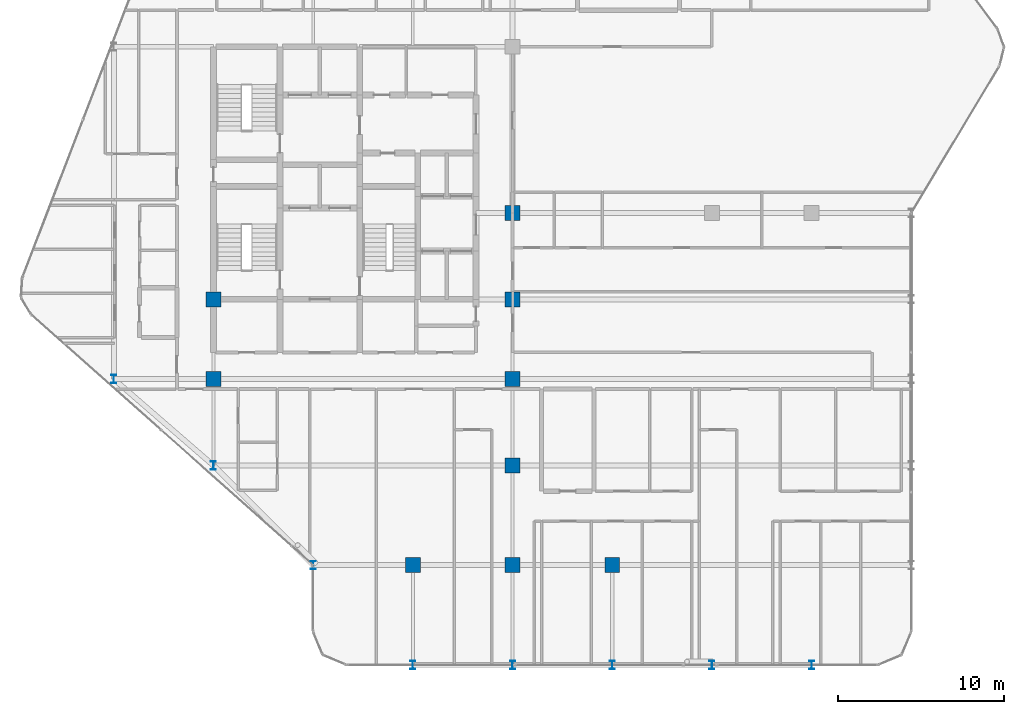
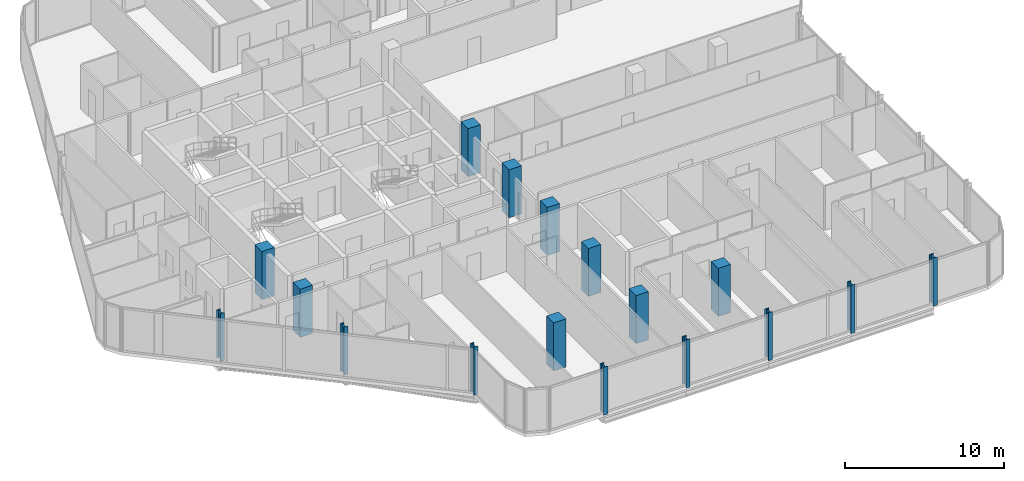
# One storey, part 1 of 32: 17 columns.
"""IFC4 building model written with IfcOpenShell, lengths in metres."""

from ifc_helpers import new_model, si_unit, direction, frame, origin, origin_2d, place, context, subcontext, project, spatial, rectangle, i_section, extrude, material, material_profile, profile_set, type_object, element, save


model = new_model("IFC4")

# Units and contexts
model_context = context("Model", 3, precision=1e-05, world=origin(), true_north=direction((0.0, 1.0)))
body_context = subcontext(model_context, "Body", "Model", "MODEL_VIEW")
ifc_project = project(units=[si_unit("LENGTHUNIT", "METRE"), si_unit("AREAUNIT", "SQUARE_METRE"), si_unit("VOLUMEUNIT", "CUBIC_METRE"), si_unit("PLANEANGLEUNIT", "RADIAN"), si_unit("MASSUNIT", "GRAM", prefix="KILO")], contexts=[model_context])

# Site, building, storey
site_placement = place(None, origin())
site = spatial("IfcSite", under=ifc_project, at=site_placement, CompositionType="ELEMENT")
building_placement = place(site_placement, origin())
building = spatial("IfcBuilding", under=site, at=building_placement, Name="Keshet Zoharim Tower", CompositionType="ELEMENT")
storey_placement = place(building_placement, frame((0.0, 0.0, 137.199951171875)))
storey = spatial("IfcBuildingStorey", under=building, at=storey_placement, Name="L33", CompositionType="ELEMENT", Elevation=137.199951171875)

# Columns
ifc_material_1 = material(Name="Steel S355", Category="steel")
ifc_material_profile_1 = material_profile(ifc_material_1, i_section(OverallWidth=0.300048828125, OverallDepth=0.5, WebThickness=0.014404296875, FlangeThickness=0.028076171875, FilletRadius=0.027099609375, at=origin_2d()), Name="HEB500")
ifc_profile_set_1 = profile_set([ifc_material_profile_1], Name="Steel S355")
column_type_1 = type_object("IfcColumnType", Name="COL-HEB500", PredefinedType="COLUMN", material=ifc_profile_set_1)
for number, where, z_axis, x_axis, name in (
    (1, (9.0, 17.89990234375, 0.0), (0.0, 0.0, 1.0), (1.0, 0.0, 0.0), "L33 Column 2D"),
    (2, (15.0, 12.699951171875, 0.0), (0.0, 0.0, 1.0), (1.0, 0.0, 0.0), "L33 Column 3C"),
    (3, (21.0, 6.699951171875, 0.0), (0.0, 0.0, 1.0), (1.0, 0.0, 0.0), "L33 Column 4B"),
    (4, (27.0, 0.699951171875, 0.0), (0.0, 0.0, 1.0), (1.0, 0.0, 0.0), "L33 Column 5A"),
    (5, (33.0, 0.699951171875, 0.0), (0.0, 0.0, 1.0), (1.0, 0.0, 0.0), "L33 Column 6A"),
    (6, (39.0, 0.699951171875, 0.0), (0.0, 0.0, 1.0), (1.0, 0.0, 0.0), "L33 Column 7A"),
    (7, (45.0, 0.699951171875, 0.0), (0.0, 0.0, 1.0), (1.0, 0.0, 0.0), "L33 Column 8A"),
    (8, (51.0, 0.699951171875, 0.0), (0.0, 0.0, 1.0), (1.0, 0.0, 0.0), "L33 Column 9A"),
):
    element("IfcColumn", number, at=place(storey_placement, frame(where, z_axis=z_axis, x_axis=x_axis)), inside=storey, type_object=column_type_1, Name=name, PredefinedType="COLUMN", context=body_context, shape_type="SweptSolid", body=[
        extrude(i_section(OverallWidth=0.300048828125, OverallDepth=0.5, WebThickness=0.014404296875, FlangeThickness=0.028076171875, FilletRadius=0.027099609375, at=origin_2d()), origin(), (0.0, 0.0, 1.0), 3.699951171875),
    ])
ifc_material_2 = material(Name="Concrete C60/75", Category="concrete")
ifc_material_profile_2 = material_profile(ifc_material_2, rectangle(XDim=0.89990234375, YDim=0.89990234375, at=origin_2d()), Name="RC900x900")
ifc_profile_set_2 = profile_set([ifc_material_profile_2], Name="Concrete C60/75")
column_type_2 = type_object("IfcColumnType", Name="COL-RC900", PredefinedType="COLUMN", material=ifc_profile_set_2)
for number, where, z_axis, x_axis, name in (
    (9, (15.0, 17.89990234375, 0.0), (0.0, 0.0, 1.0), (1.0, 0.0, 0.0), "L33 Column 3D"),
    (10, (15.0, 22.699951171875, 0.0), (0.0, 0.0, 1.0), (1.0, 0.0, 0.0), "L33 Column 3E"),
    (11, (27.0, 6.699951171875, 0.0), (0.0, 0.0, 1.0), (1.0, 0.0, 0.0), "L33 Column 5B"),
    (12, (33.0, 6.699951171875, 0.0), (0.0, 0.0, 1.0), (1.0, 0.0, 0.0), "L33 Column 6B"),
    (13, (33.0, 12.699951171875, 0.0), (0.0, 0.0, 1.0), (1.0, 0.0, 0.0), "L33 Column 6C"),
    (14, (33.0, 17.89990234375, 0.0), (0.0, 0.0, 1.0), (1.0, 0.0, 0.0), "L33 Column 6D"),
    (15, (33.0, 22.699951171875, 0.0), (0.0, 0.0, 1.0), (1.0, 0.0, 0.0), "L33 Column 6E"),
    (16, (33.0, 27.89990234375, 0.0), (0.0, 0.0, 1.0), (1.0, 0.0, 0.0), "L33 Column 6F"),
    (17, (39.0, 6.699951171875, 0.0), (0.0, 0.0, 1.0), (1.0, 0.0, 0.0), "L33 Column 7B"),
):
    element("IfcColumn", number, at=place(storey_placement, frame(where, z_axis=z_axis, x_axis=x_axis)), inside=storey, type_object=column_type_2, Name=name, PredefinedType="COLUMN", context=body_context, shape_type="SweptSolid", body=[
        extrude(rectangle(XDim=0.89990234375, YDim=0.89990234375, at=origin_2d()), origin(), (0.0, 0.0, 1.0), 3.699951171875),
    ])

save(model, "model.ifc")
